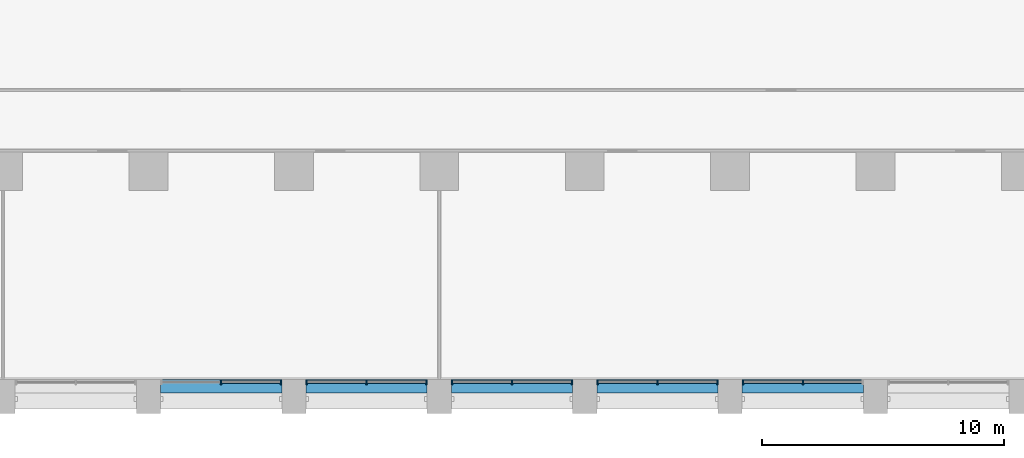
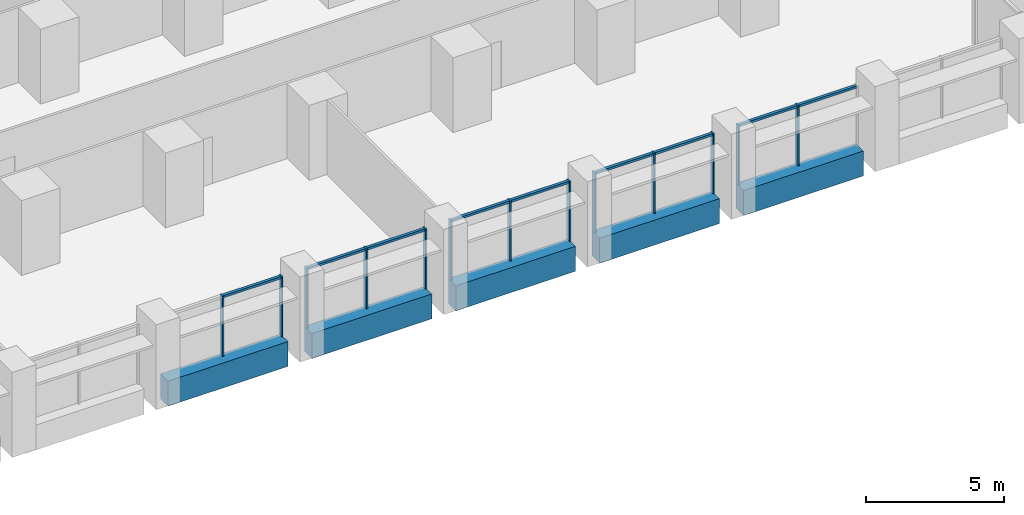
# One storey, part 3 of 17: 22 members, 5 beams, 5 elements without a shape of their own.
"""IFC4 building model written with IfcOpenShell, lengths in metres."""

from ifc_helpers import new_model, si_unit, direction, frame, origin, origin_2d, place, context, subcontext, project, spatial, rectangle, extrude, material, material_profile, profile_set, type_object, element, aggregate, save


model = new_model("IFC4")

# Units and contexts
model_context = context("Model", 3, precision=1e-05, world=origin(), true_north=direction((0.0, 1.0)))
body_context = subcontext(model_context, "Body", "Model", "MODEL_VIEW")
ifc_project = project(units=[si_unit("LENGTHUNIT", "METRE"), si_unit("AREAUNIT", "SQUARE_METRE"), si_unit("VOLUMEUNIT", "CUBIC_METRE"), si_unit("PLANEANGLEUNIT", "RADIAN"), si_unit("MASSUNIT", "GRAM", prefix="KILO")], contexts=[model_context])

# Site, building, storey
site_placement = place(None, origin())
site = spatial("IfcSite", under=ifc_project, at=site_placement, CompositionType="ELEMENT")
building_placement = place(site_placement, origin())
building = spatial("IfcBuilding", under=site, at=building_placement, Name="Calvaro Tower", CompositionType="ELEMENT")
storey_placement = place(building_placement, frame((0.0, 0.0, 67.5)))
storey = spatial("IfcBuildingStorey", under=building, at=storey_placement, Name="L16", CompositionType="ELEMENT", Elevation=67.5)

# Curtain wall, members
ifc_material_1 = material(Name="Anodised aluminium", Category="aluminium")
curtain_wall_type = type_object("IfcCurtainWallType", Name="Office curtain wall, lower zone", PredefinedType="NOTDEFINED", material=ifc_material_1)
curtain_wall_1_placement = place(storey_placement, origin())
curtain_wall_1 = element("IfcCurtainWall", 1, at=curtain_wall_1_placement, inside=storey, type_object=curtain_wall_type, Name="CW1 south curtain wall", PredefinedType="NOTDEFINED")
ifc_material_2 = material(Name="Anodised aluminium", Category="aluminium")
ifc_material_profile_1 = material_profile(ifc_material_2, rectangle(XDim=0.199951171875, YDim=0.06005859375, at=origin_2d()), Name="Mullion S1 60 x 200")
ifc_profile_set_1 = profile_set([ifc_material_profile_1], Name="Anodised aluminium")
member_type_1 = type_object("IfcMemberType", Name="Mullion S1 60 x 200", PredefinedType="MULLION", material=ifc_profile_set_1)
member_1_placement = place(storey_placement, frame((39.0, 1.300048828125, 0.0), z_axis=(0.0, 0.0, 1.0), x_axis=(0.0, 1.0, 0.0)))
member_1 = element("IfcMember", 2, at=member_1_placement, type_object=member_type_1, Name="CW1 mullion 2", PredefinedType="MULLION", context=body_context, shape_type="SweptSolid", body=[
    extrude(rectangle(XDim=0.199951171875, YDim=0.06005859375, at=origin_2d()), origin(), (0.0, 0.0, 1.0), 2.64990234375),
])
member_2_placement = place(storey_placement, frame((41.469970703125, 1.300048828125, 0.0), z_axis=(0.0, 0.0, 1.0), x_axis=(0.0, 1.0, 0.0)))
member_2 = element("IfcMember", 3, at=member_2_placement, type_object=member_type_1, Name="CW1 mullion 3", PredefinedType="MULLION", context=body_context, shape_type="SweptSolid", body=[
    extrude(rectangle(XDim=0.199951171875, YDim=0.06005859375, at=origin_2d()), origin(), (0.0, 0.0, 1.0), 2.64990234375),
])

curtain_wall_2_placement = place(storey_placement, origin())
curtain_wall_2 = element("IfcCurtainWall", 4, at=curtain_wall_2_placement, inside=storey, type_object=curtain_wall_type, Name="CW1 south curtain wall", PredefinedType="NOTDEFINED")
member_3_placement = place(storey_placement, frame((42.530029296875, 1.300048828125, 0.0), z_axis=(0.0, 0.0, 1.0), x_axis=(0.0, 1.0, 0.0)))
member_3 = element("IfcMember", 5, at=member_3_placement, type_object=member_type_1, Name="CW1 mullion 1", PredefinedType="MULLION", context=body_context, shape_type="SweptSolid", body=[
    extrude(rectangle(XDim=0.199951171875, YDim=0.06005859375, at=origin_2d()), origin(), (0.0, 0.0, 1.0), 2.64990234375),
])
member_4_placement = place(storey_placement, frame((45.0, 1.300048828125, 0.0), z_axis=(0.0, 0.0, 1.0), x_axis=(0.0, 1.0, 0.0)))
member_4 = element("IfcMember", 6, at=member_4_placement, type_object=member_type_1, Name="CW1 mullion 2", PredefinedType="MULLION", context=body_context, shape_type="SweptSolid", body=[
    extrude(rectangle(XDim=0.199951171875, YDim=0.06005859375, at=origin_2d()), origin(), (0.0, 0.0, 1.0), 2.64990234375),
])
member_5_placement = place(storey_placement, frame((47.469970703125, 1.300048828125, 0.0), z_axis=(0.0, 0.0, 1.0), x_axis=(0.0, 1.0, 0.0)))
member_5 = element("IfcMember", 7, at=member_5_placement, type_object=member_type_1, Name="CW1 mullion 3", PredefinedType="MULLION", context=body_context, shape_type="SweptSolid", body=[
    extrude(rectangle(XDim=0.199951171875, YDim=0.06005859375, at=origin_2d()), origin(), (0.0, 0.0, 1.0), 2.64990234375),
])

curtain_wall_3_placement = place(storey_placement, origin())
curtain_wall_3 = element("IfcCurtainWall", 8, at=curtain_wall_3_placement, inside=storey, type_object=curtain_wall_type, Name="CW1 south curtain wall", PredefinedType="NOTDEFINED")
member_6_placement = place(storey_placement, frame((48.530029296875, 1.300048828125, 0.0), z_axis=(0.0, 0.0, 1.0), x_axis=(0.0, 1.0, 0.0)))
member_6 = element("IfcMember", 9, at=member_6_placement, type_object=member_type_1, Name="CW1 mullion 1", PredefinedType="MULLION", context=body_context, shape_type="SweptSolid", body=[
    extrude(rectangle(XDim=0.199951171875, YDim=0.06005859375, at=origin_2d()), origin(), (0.0, 0.0, 1.0), 2.64990234375),
])
member_7_placement = place(storey_placement, frame((51.0, 1.300048828125, 0.0), z_axis=(0.0, 0.0, 1.0), x_axis=(0.0, 1.0, 0.0)))
member_7 = element("IfcMember", 10, at=member_7_placement, type_object=member_type_1, Name="CW1 mullion 2", PredefinedType="MULLION", context=body_context, shape_type="SweptSolid", body=[
    extrude(rectangle(XDim=0.199951171875, YDim=0.06005859375, at=origin_2d()), origin(), (0.0, 0.0, 1.0), 2.64990234375),
])
member_8_placement = place(storey_placement, frame((53.469970703125, 1.300048828125, 0.0), z_axis=(0.0, 0.0, 1.0), x_axis=(0.0, 1.0, 0.0)))
member_8 = element("IfcMember", 11, at=member_8_placement, type_object=member_type_1, Name="CW1 mullion 3", PredefinedType="MULLION", context=body_context, shape_type="SweptSolid", body=[
    extrude(rectangle(XDim=0.199951171875, YDim=0.06005859375, at=origin_2d()), origin(), (0.0, 0.0, 1.0), 2.64990234375),
])

curtain_wall_4_placement = place(storey_placement, origin())
curtain_wall_4 = element("IfcCurtainWall", 12, at=curtain_wall_4_placement, inside=storey, type_object=curtain_wall_type, Name="CW1 south curtain wall", PredefinedType="NOTDEFINED")
member_9_placement = place(storey_placement, frame((54.530029296875, 1.300048828125, 0.0), z_axis=(0.0, 0.0, 1.0), x_axis=(0.0, 1.0, 0.0)))
member_9 = element("IfcMember", 13, at=member_9_placement, type_object=member_type_1, Name="CW1 mullion 1", PredefinedType="MULLION", context=body_context, shape_type="SweptSolid", body=[
    extrude(rectangle(XDim=0.199951171875, YDim=0.06005859375, at=origin_2d()), origin(), (0.0, 0.0, 1.0), 2.64990234375),
])
member_10_placement = place(storey_placement, frame((57.0, 1.300048828125, 0.0), z_axis=(0.0, 0.0, 1.0), x_axis=(0.0, 1.0, 0.0)))
member_10 = element("IfcMember", 14, at=member_10_placement, type_object=member_type_1, Name="CW1 mullion 2", PredefinedType="MULLION", context=body_context, shape_type="SweptSolid", body=[
    extrude(rectangle(XDim=0.199951171875, YDim=0.06005859375, at=origin_2d()), origin(), (0.0, 0.0, 1.0), 2.64990234375),
])
member_11_placement = place(storey_placement, frame((59.469970703125, 1.300048828125, 0.0), z_axis=(0.0, 0.0, 1.0), x_axis=(0.0, 1.0, 0.0)))
member_11 = element("IfcMember", 15, at=member_11_placement, type_object=member_type_1, Name="CW1 mullion 3", PredefinedType="MULLION", context=body_context, shape_type="SweptSolid", body=[
    extrude(rectangle(XDim=0.199951171875, YDim=0.06005859375, at=origin_2d()), origin(), (0.0, 0.0, 1.0), 2.64990234375),
])

curtain_wall_5_placement = place(storey_placement, origin())
curtain_wall_5 = element("IfcCurtainWall", 16, at=curtain_wall_5_placement, inside=storey, type_object=curtain_wall_type, Name="CW1 south curtain wall", PredefinedType="NOTDEFINED")
member_12_placement = place(storey_placement, frame((60.530029296875, 1.300048828125, 0.0), z_axis=(0.0, 0.0, 1.0), x_axis=(0.0, 1.0, 0.0)))
member_12 = element("IfcMember", 17, at=member_12_placement, type_object=member_type_1, Name="CW1 mullion 1", PredefinedType="MULLION", context=body_context, shape_type="SweptSolid", body=[
    extrude(rectangle(XDim=0.199951171875, YDim=0.06005859375, at=origin_2d()), origin(), (0.0, 0.0, 1.0), 2.64990234375),
])
member_13_placement = place(storey_placement, frame((63.0, 1.300048828125, 0.0), z_axis=(0.0, 0.0, 1.0), x_axis=(0.0, 1.0, 0.0)))
member_13 = element("IfcMember", 18, at=member_13_placement, type_object=member_type_1, Name="CW1 mullion 2", PredefinedType="MULLION", context=body_context, shape_type="SweptSolid", body=[
    extrude(rectangle(XDim=0.199951171875, YDim=0.06005859375, at=origin_2d()), origin(), (0.0, 0.0, 1.0), 2.64990234375),
])

# Beams
ifc_material_3 = material(Name="Concrete C50/60 precast", Category="concrete")
ifc_material_profile_2 = material_profile(ifc_material_3, rectangle(XDim=0.550048828125, YDim=1.10009765625, at=origin_2d()), Name="RC 550x1100")
ifc_profile_set_2 = profile_set([ifc_material_profile_2], Name="Concrete C50/60 precast")
beam_type = type_object("IfcBeamType", Name="Spandrel beam 550x1100 C50/60", PredefinedType="SPANDREL", material=ifc_profile_set_2)
for number, where, z_axis, x_axis, name in (
    (19, (36.5, 1.125, -0.550048828125), (1.0, 0.0, 0.0), (0.0, 1.0, 0.0), "Spandrel beam"),
    (20, (42.5, 1.125, -0.550048828125), (1.0, 0.0, 0.0), (0.0, 1.0, 0.0), "Spandrel beam"),
    (21, (48.5, 1.125, -0.550048828125), (1.0, 0.0, 0.0), (0.0, 1.0, 0.0), "Spandrel beam"),
    (22, (54.5, 1.125, -0.550048828125), (1.0, 0.0, 0.0), (0.0, 1.0, 0.0), "Spandrel beam"),
    (23, (60.5, 1.125, -0.550048828125), (1.0, 0.0, 0.0), (0.0, 1.0, 0.0), "Spandrel beam"),
):
    element("IfcBeam", number, at=place(storey_placement, frame(where, z_axis=z_axis, x_axis=x_axis)), inside=storey, type_object=beam_type, Name=name, PredefinedType="SPANDREL", context=body_context, shape_type="SweptSolid", body=[
        extrude(rectangle(XDim=0.550048828125, YDim=1.10009765625, at=origin_2d()), origin(), (0.0, 0.0, 1.0), 5.0),
    ])

# Member
ifc_material_4 = material(Name="Anodised aluminium", Category="aluminium")
ifc_material_profile_3 = material_profile(ifc_material_4, rectangle(XDim=0.1201171875, YDim=0.10009765625, at=origin_2d()), Name="Transom S1 100 x 120")
ifc_profile_set_3 = profile_set([ifc_material_profile_3], Name="Anodised aluminium")
member_type_2 = type_object("IfcMemberType", Name="Transom S1 100 x 120", PredefinedType="USERDEFINED", material=ifc_profile_set_3)
member_14_placement = place(storey_placement, frame((39.030029296875, 1.300048828125, 2.60009765625), z_axis=(1.0, 0.0, 0.0), x_axis=(0.0, 1.0, 0.0)))
member_14 = element("IfcMember", 24, at=member_14_placement, type_object=member_type_2, Name="CW1 transom 2.1", ObjectType="TRANSOM", PredefinedType="USERDEFINED", context=body_context, shape_type="SweptSolid", body=[
    extrude(rectangle(XDim=0.1201171875, YDim=0.10009765625, at=origin_2d()), origin(), (0.0, 0.0, 1.0), 2.409912109375),
])

aggregate(curtain_wall_1, [member_1, member_2, member_14])

member_15_placement = place(storey_placement, frame((42.56005859375, 1.300048828125, 2.60009765625), z_axis=(1.0, 0.0, 0.0), x_axis=(0.0, 1.0, 0.0)))
member_15 = element("IfcMember", 25, at=member_15_placement, type_object=member_type_2, Name="CW1 transom 1.1", ObjectType="TRANSOM", PredefinedType="USERDEFINED", context=body_context, shape_type="SweptSolid", body=[
    extrude(rectangle(XDim=0.1201171875, YDim=0.10009765625, at=origin_2d()), origin(), (0.0, 0.0, 1.0), 2.409912109375),
])

member_16_placement = place(storey_placement, frame((45.030029296875, 1.300048828125, 2.60009765625), z_axis=(1.0, 0.0, 0.0), x_axis=(0.0, 1.0, 0.0)))
member_16 = element("IfcMember", 26, at=member_16_placement, type_object=member_type_2, Name="CW1 transom 2.1", ObjectType="TRANSOM", PredefinedType="USERDEFINED", context=body_context, shape_type="SweptSolid", body=[
    extrude(rectangle(XDim=0.1201171875, YDim=0.10009765625, at=origin_2d()), origin(), (0.0, 0.0, 1.0), 2.409912109375),
])

aggregate(curtain_wall_2, [member_3, member_4, member_5, member_15, member_16])

member_17_placement = place(storey_placement, frame((48.56005859375, 1.300048828125, 2.60009765625), z_axis=(1.0, 0.0, 0.0), x_axis=(0.0, 1.0, 0.0)))
member_17 = element("IfcMember", 27, at=member_17_placement, type_object=member_type_2, Name="CW1 transom 1.1", ObjectType="TRANSOM", PredefinedType="USERDEFINED", context=body_context, shape_type="SweptSolid", body=[
    extrude(rectangle(XDim=0.1201171875, YDim=0.10009765625, at=origin_2d()), origin(), (0.0, 0.0, 1.0), 2.409912109375),
])

member_18_placement = place(storey_placement, frame((51.030029296875, 1.300048828125, 2.60009765625), z_axis=(1.0, 0.0, 0.0), x_axis=(0.0, 1.0, 0.0)))
member_18 = element("IfcMember", 28, at=member_18_placement, type_object=member_type_2, Name="CW1 transom 2.1", ObjectType="TRANSOM", PredefinedType="USERDEFINED", context=body_context, shape_type="SweptSolid", body=[
    extrude(rectangle(XDim=0.1201171875, YDim=0.10009765625, at=origin_2d()), origin(), (0.0, 0.0, 1.0), 2.409912109375),
])

aggregate(curtain_wall_3, [member_6, member_7, member_8, member_17, member_18])

member_19_placement = place(storey_placement, frame((54.56005859375, 1.300048828125, 2.60009765625), z_axis=(1.0, 0.0, 0.0), x_axis=(0.0, 1.0, 0.0)))
member_19 = element("IfcMember", 29, at=member_19_placement, type_object=member_type_2, Name="CW1 transom 1.1", ObjectType="TRANSOM", PredefinedType="USERDEFINED", context=body_context, shape_type="SweptSolid", body=[
    extrude(rectangle(XDim=0.1201171875, YDim=0.10009765625, at=origin_2d()), origin(), (0.0, 0.0, 1.0), 2.409912109375),
])

member_20_placement = place(storey_placement, frame((57.030029296875, 1.300048828125, 2.60009765625), z_axis=(1.0, 0.0, 0.0), x_axis=(0.0, 1.0, 0.0)))
member_20 = element("IfcMember", 30, at=member_20_placement, type_object=member_type_2, Name="CW1 transom 2.1", ObjectType="TRANSOM", PredefinedType="USERDEFINED", context=body_context, shape_type="SweptSolid", body=[
    extrude(rectangle(XDim=0.1201171875, YDim=0.10009765625, at=origin_2d()), origin(), (0.0, 0.0, 1.0), 2.409912109375),
])

aggregate(curtain_wall_4, [member_9, member_10, member_11, member_19, member_20])

member_21_placement = place(storey_placement, frame((60.56005859375, 1.300048828125, 2.60009765625), z_axis=(1.0, 0.0, 0.0), x_axis=(0.0, 1.0, 0.0)))
member_21 = element("IfcMember", 31, at=member_21_placement, type_object=member_type_2, Name="CW1 transom 1.1", ObjectType="TRANSOM", PredefinedType="USERDEFINED", context=body_context, shape_type="SweptSolid", body=[
    extrude(rectangle(XDim=0.1201171875, YDim=0.10009765625, at=origin_2d()), origin(), (0.0, 0.0, 1.0), 2.409912109375),
])

member_22_placement = place(storey_placement, frame((63.030029296875, 1.300048828125, 2.60009765625), z_axis=(1.0, 0.0, 0.0), x_axis=(0.0, 1.0, 0.0)))
member_22 = element("IfcMember", 32, at=member_22_placement, type_object=member_type_2, Name="CW1 transom 2.1", ObjectType="TRANSOM", PredefinedType="USERDEFINED", context=body_context, shape_type="SweptSolid", body=[
    extrude(rectangle(XDim=0.1201171875, YDim=0.10009765625, at=origin_2d()), origin(), (0.0, 0.0, 1.0), 2.409912109375),
])

aggregate(curtain_wall_5, [member_12, member_13, member_21, member_22])

save(model, "model.ifc")
